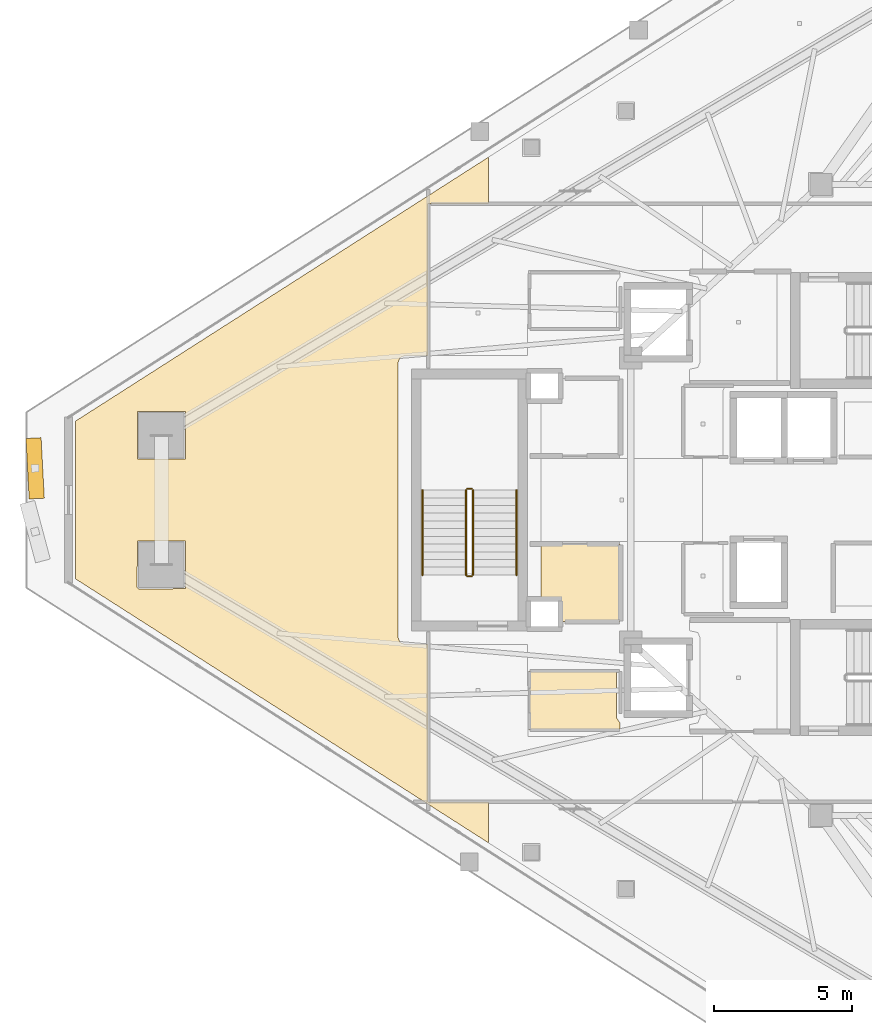
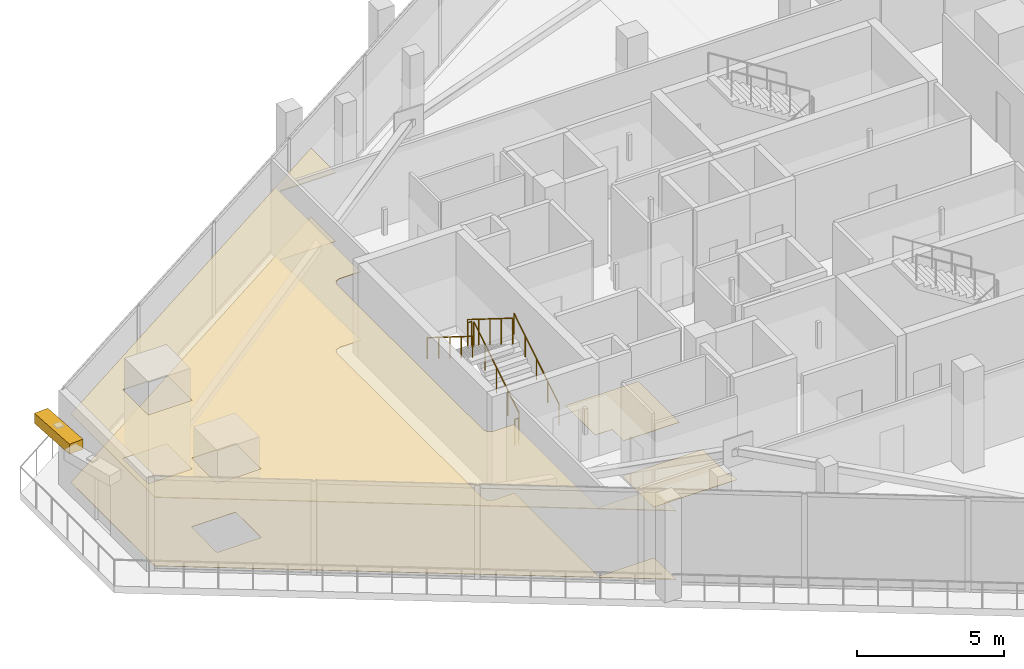
# One storey, part 30 of 34: 6 railings, 4 coverings, 1 shading device.
"""IFC4 building model written with IfcOpenShell, lengths in metres."""

from ifc_helpers import new_model, si_unit, direction, frame, origin, origin_2d, place, context, subcontext, project, spatial, polyline, rectangle, circle, outline, extrude, material, layer, layer_set, type_object, element, save


model = new_model("IFC4")

# Units and contexts
model_context = context("Model", 3, precision=1e-05, world=origin(), true_north=direction((0.0, 1.0)))
body_context = subcontext(model_context, "Body", "Model", "MODEL_VIEW")
ifc_project = project(units=[si_unit("LENGTHUNIT", "METRE"), si_unit("AREAUNIT", "SQUARE_METRE"), si_unit("VOLUMEUNIT", "CUBIC_METRE"), si_unit("PLANEANGLEUNIT", "RADIAN"), si_unit("MASSUNIT", "GRAM", prefix="KILO")], contexts=[model_context])

# Site, building, storey
site_placement = place(None, origin())
site = spatial("IfcSite", under=ifc_project, at=site_placement, CompositionType="ELEMENT")
building_placement = place(site_placement, origin())
building = spatial("IfcBuilding", under=site, at=building_placement, Name="Qorvath Tower", CompositionType="ELEMENT")
storey_placement = place(building_placement, frame((0.0, 0.0, 276.60009765625)))
storey = spatial("IfcBuildingStorey", under=building, at=storey_placement, Name="L64", CompositionType="ELEMENT", Elevation=276.60009765625)

# Coverings
ifc_material_1 = material(Name="Acoustic mineral fibre ceiling tile", Category="gypsum")
ifc_layer_1 = layer(ifc_material_1, 0.030029296875)
ifc_layer_set_1 = layer_set([ifc_layer_1], Name="COV-CEIL")
covering_type_1 = type_object("IfcCoveringType", Name="COV-CEIL", PredefinedType="CEILING", material=ifc_layer_set_1)
covering_1_placement = place(storey_placement, frame((0.0, 0.0, 2.849853515625)))
element("IfcCovering", 1, at=covering_1_placement, inside=storey, type_object=covering_type_1, Name="L64 Suspended Acoustic Ceiling 014", PredefinedType="CEILING", context=body_context, shape_type="SweptSolid", body=[
    extrude(outline(polyline([(-50.651123046875, -2.8662109375), (-35.662841796875, -12.44580078125), (-35.662841796875, -10.95849609375), (-37.863037109375, -10.9580078125), (-37.863037109375, -5.239990234375), (-38.699951171875, -5.239990234375), (-38.876708984375, -5.166748046875), (-38.949951171875, -4.989990234375), (-38.949951171875, 4.989990234375), (-38.876708984375, 5.166748046875), (-38.699951171875, 5.239990234375), (-37.863037109375, 5.239990234375), (-37.861572265625, 10.761474609375), (-35.662841796875, 10.76171875), (-35.662841796875, 12.44580078125), (-50.651123046875, 2.8662109375), (-50.651123046875, -2.8662109375)]), holes=[polyline([(-48.422607421875, -3.174560546875), (-48.405029296875, -1.482177734375), (-46.670166015625, -1.482177734375), (-46.670166015625, -3.217041015625), (-48.362548828125, -3.234619140625), (-48.422607421875, -3.174560546875)]), polyline([(-48.405029296875, 1.482177734375), (-48.405029296875, 3.217041015625), (-46.670166015625, 3.217041015625), (-46.670166015625, 1.482177734375), (-48.405029296875, 1.482177734375)])]), origin(), (0.0, 0.0, 1.0), 0.030029296875),
])
ifc_material_2 = material(Name="Low-VOC modular carpet tile", Category="textile")
ifc_layer_2 = layer(ifc_material_2, 0.014892578125)
ifc_layer_set_2 = layer_set([ifc_layer_2], Name="COV-FLOOR-CPT")
covering_type_2 = type_object("IfcCoveringType", Name="COV-FLOOR-CPT", PredefinedType="FLOORING", material=ifc_layer_set_2)
covering_2_placement = place(storey_placement, origin())
element("IfcCovering", 2, at=covering_2_placement, inside=storey, type_object=covering_type_2, Name="L64 Floor Finish 010", PredefinedType="FLOORING", context=body_context, shape_type="SweptSolid", body=[
    extrude(outline(polyline([(-30.885009765625, -4.4150390625), (-30.885009765625, -1.60498046875), (-33.760009765625, -1.60498046875), (-33.760009765625, -3.636962890625), (-33.08837890625, -3.638427734375), (-33.0869140625, -4.4150390625), (-30.885009765625, -4.4150390625)])), origin(), (0.0, 0.0, 1.0), 0.014892578125),
])
covering_3_placement = place(storey_placement, origin())
element("IfcCovering", 3, at=covering_3_placement, inside=storey, type_object=covering_type_2, Name="L64 Floor Finish 014", PredefinedType="FLOORING", context=body_context, shape_type="SweptSolid", body=[
    extrude(outline(polyline([(-50.651123046875, -2.8662109375), (-35.662841796875, -12.44580078125), (-35.662841796875, -10.95849609375), (-37.863037109375, -10.9580078125), (-37.863037109375, -5.239990234375), (-38.699951171875, -5.239990234375), (-38.876708984375, -5.166748046875), (-38.949951171875, -4.989990234375), (-38.949951171875, 4.989990234375), (-38.876708984375, 5.166748046875), (-38.699951171875, 5.239990234375), (-37.863037109375, 5.239990234375), (-37.861572265625, 10.761474609375), (-35.662841796875, 10.76171875), (-35.662841796875, 12.44580078125), (-50.651123046875, 2.8662109375), (-50.651123046875, -2.8662109375)]), holes=[polyline([(-48.422607421875, -3.174560546875), (-48.405029296875, -1.482177734375), (-46.670166015625, -1.482177734375), (-46.670166015625, -3.217041015625), (-48.362548828125, -3.234619140625), (-48.422607421875, -3.174560546875)]), polyline([(-48.405029296875, 1.482177734375), (-48.405029296875, 3.217041015625), (-46.670166015625, 3.217041015625), (-46.670166015625, 1.482177734375), (-48.405029296875, 1.482177734375)])]), origin(), (0.0, 0.0, 1.0), 0.014892578125),
])
ifc_material_3 = material(Name="Polished epoxy terrazzo flooring", Category="concrete")
ifc_layer_3 = layer(ifc_material_3, 0.02001953125)
ifc_layer_set_3 = layer_set([ifc_layer_3], Name="COV-FLOOR-TRZ")
covering_type_3 = type_object("IfcCoveringType", Name="COV-FLOOR-TRZ", PredefinedType="FLOORING", material=ifc_layer_set_3)
covering_4_placement = place(storey_placement, origin())
element("IfcCovering", 4, at=covering_4_placement, inside=storey, type_object=covering_type_3, Name="L64 Floor Finish 009", PredefinedType="FLOORING", context=body_context, shape_type="SweptSolid", body=[
    extrude(outline(polyline([(-30.885009765625, -8.344970703125), (-30.885009765625, -8.108154296875), (-31.010009765625, -7.909912109375), (-31.010009765625, -6.205078125), (-34.175048828125, -6.205078125), (-34.175048828125, -8.344970703125), (-30.885009765625, -8.344970703125)])), origin(), (0.0, 0.0, 1.0), 0.014892578125),
])

# Railings
ifc_material_4 = material(Name="Painted galvanised steel", Category="steel")
railing_type_1 = type_object("IfcRailingType", Name="RL-STR-GRD", PredefinedType="GUARDRAIL", material=ifc_material_4)
railing_1_placement = place(storey_placement, frame((-36.22998046875, -2.719970703125, 0.1748046875)))
element("IfcRailing", 5, at=railing_1_placement, inside=storey, type_object=railing_type_1, Name="L64 TS3 stair guard 1", PredefinedType="GUARDRAIL", context=body_context, shape_type="SweptSolid", body=[
    extrude(circle(Radius=0.02392578125, at=origin_2d()), frame((0.0, 0.0, 1.076171875), z_axis=(0.0, 0.847998304005, 0.529998940003), x_axis=(-1.0, 0.0, 0.0)), (0.0, 0.0, 1.0), 3.632080078125),
    extrude(circle(Radius=0.02099609375, at=origin_2d()), origin(), (0.0, 0.0, 1.0), 1.052001953125),
    extrude(circle(Radius=0.02099609375, at=origin_2d()), frame((0.0, 0.77001953125, 0.481201171875)), (0.0, 0.0, 1.0), 1.052001953125),
    extrude(circle(Radius=0.02099609375, at=origin_2d()), frame((0.0, 1.5400390625, 0.96240234375)), (0.0, 0.0, 1.0), 1.052001953125),
    extrude(circle(Radius=0.02099609375, at=origin_2d()), frame((0.0, 2.31005859375, 1.44384765625)), (0.0, 0.0, 1.0), 1.052001953125),
    extrude(circle(Radius=0.02099609375, at=origin_2d()), frame((0.0, 3.080078125, 1.925048828125)), (0.0, 0.0, 1.0), 1.052001953125),
])
railing_2_placement = place(storey_placement, frame((-36.280029296875, 0.409912109375, 2.099853515625)))
element("IfcRailing", 6, at=railing_2_placement, inside=storey, type_object=railing_type_1, Name="L64 TS3 stair guard 2", PredefinedType="GUARDRAIL", context=body_context, shape_type="SweptSolid", body=[
    extrude(circle(Radius=0.02392578125, at=origin_2d()), frame((0.0, 0.0, 1.076171875), z_axis=(-1.0, 0.0, 0.0), x_axis=(0.0, -1.0, 0.0)), (0.0, 0.0, 1.0), 0.14990234375),
    extrude(circle(Radius=0.02099609375, at=origin_2d()), origin(), (0.0, 0.0, 1.0), 1.052001953125),
    extrude(circle(Radius=0.02099609375, at=origin_2d()), frame((-0.14990234375, 0.0, 0.0)), (0.0, 0.0, 1.0), 1.052001953125),
])
railing_3_placement = place(storey_placement, frame((-36.47998046875, 0.360107421875, 2.27490234375)))
element("IfcRailing", 7, at=railing_3_placement, inside=storey, type_object=railing_type_1, Name="L64 TS3 stair guard 3", PredefinedType="GUARDRAIL", context=body_context, shape_type="SweptSolid", body=[
    extrude(circle(Radius=0.02392578125, at=origin_2d()), frame((0.0, 0.0, 1.076171875), z_axis=(0.0, -0.847998304005, 0.529998940003), x_axis=(1.0, 0.0, 0.0)), (0.0, 0.0, 1.0), 3.632080078125),
    extrude(circle(Radius=0.02099609375, at=origin_2d()), origin(), (0.0, 0.0, 1.0), 1.052001953125),
    extrude(circle(Radius=0.02099609375, at=origin_2d()), frame((0.0, -0.77001953125, 0.481201171875)), (0.0, 0.0, 1.0), 1.052001953125),
    extrude(circle(Radius=0.02099609375, at=origin_2d()), frame((0.0, -1.5400390625, 0.96240234375)), (0.0, 0.0, 1.0), 1.052001953125),
    extrude(circle(Radius=0.02099609375, at=origin_2d()), frame((0.0, -2.31005859375, 1.44384765625)), (0.0, 0.0, 1.0), 1.052001953125),
    extrude(circle(Radius=0.02099609375, at=origin_2d()), frame((0.0, -3.080078125, 1.925048828125)), (0.0, 0.0, 1.0), 1.052001953125),
])
railing_4_placement = place(storey_placement, frame((-36.280029296875, -2.77001953125, 0.0)))
element("IfcRailing", 8, at=railing_4_placement, inside=storey, type_object=railing_type_1, Name="L64 TS3 stair guard 4", PredefinedType="GUARDRAIL", context=body_context, shape_type="SweptSolid", body=[
    extrude(circle(Radius=0.02392578125, at=origin_2d()), frame((0.0, 0.0, 1.076171875), z_axis=(-1.0, 0.0, 0.0), x_axis=(0.0, -1.0, 0.0)), (0.0, 0.0, 1.0), 0.14990234375),
    extrude(circle(Radius=0.02099609375, at=origin_2d()), origin(), (0.0, 0.0, 1.0), 1.052001953125),
    extrude(circle(Radius=0.02099609375, at=origin_2d()), frame((-0.14990234375, 0.0, 0.0)), (0.0, 0.0, 1.0), 1.052001953125),
])
ifc_material_5 = material(Name="Brushed stainless steel AISI 304", Category="steel")
railing_type_2 = type_object("IfcRailingType", Name="RL-STR-HND", PredefinedType="HANDRAIL", material=ifc_material_5)
railing_5_placement = place(storey_placement, frame((-34.64990234375, -2.719970703125, 0.1748046875)))
element("IfcRailing", 9, at=railing_5_placement, inside=storey, type_object=railing_type_2, Name="L64 TS3 stair handrail 1", PredefinedType="HANDRAIL", context=body_context, shape_type="SweptSolid", body=[
    extrude(circle(Radius=0.02392578125, at=origin_2d()), frame((0.0, 0.0, 0.8759765625), z_axis=(0.0, 0.847998304005, 0.529998940003), x_axis=(-1.0, 0.0, 0.0)), (0.0, 0.0, 1.0), 3.632080078125),
    extrude(circle(Radius=0.02099609375, at=origin_2d()), origin(), (0.0, 0.0, 1.0), 0.851806640625),
    extrude(circle(Radius=0.02099609375, at=origin_2d()), frame((0.0, 0.77001953125, 0.481201171875)), (0.0, 0.0, 1.0), 0.851806640625),
    extrude(circle(Radius=0.02099609375, at=origin_2d()), frame((0.0, 1.5400390625, 0.96240234375)), (0.0, 0.0, 1.0), 0.851806640625),
    extrude(circle(Radius=0.02099609375, at=origin_2d()), frame((0.0, 2.31005859375, 1.44384765625)), (0.0, 0.0, 1.0), 0.851806640625),
    extrude(circle(Radius=0.02099609375, at=origin_2d()), frame((0.0, 3.080078125, 1.925048828125)), (0.0, 0.0, 1.0), 0.851806640625),
])
railing_6_placement = place(storey_placement, frame((-38.06005859375, 0.360107421875, 2.27490234375)))
element("IfcRailing", 10, at=railing_6_placement, inside=storey, type_object=railing_type_2, Name="L64 TS3 stair handrail 2", PredefinedType="HANDRAIL", context=body_context, shape_type="SweptSolid", body=[
    extrude(circle(Radius=0.02392578125, at=origin_2d()), frame((0.0, 0.0, 0.8759765625), z_axis=(0.0, -0.847998304005, 0.529998940003), x_axis=(1.0, 0.0, 0.0)), (0.0, 0.0, 1.0), 3.632080078125),
    extrude(circle(Radius=0.02099609375, at=origin_2d()), origin(), (0.0, 0.0, 1.0), 0.851806640625),
    extrude(circle(Radius=0.02099609375, at=origin_2d()), frame((0.0, -0.77001953125, 0.481201171875)), (0.0, 0.0, 1.0), 0.851806640625),
    extrude(circle(Radius=0.02099609375, at=origin_2d()), frame((0.0, -1.5400390625, 0.96240234375)), (0.0, 0.0, 1.0), 0.851806640625),
    extrude(circle(Radius=0.02099609375, at=origin_2d()), frame((0.0, -2.31005859375, 1.44384765625)), (0.0, 0.0, 1.0), 0.851806640625),
    extrude(circle(Radius=0.02099609375, at=origin_2d()), frame((0.0, -3.080078125, 1.925048828125)), (0.0, 0.0, 1.0), 0.851806640625),
])

# Shading device
ifc_material_6 = material(Name="Anodised bronze-champagne aluminium", Category="aluminium")
shading_device_type = type_object("IfcShadingDeviceType", Name="SD-LOUVRE", PredefinedType="JALOUSIE", material=ifc_material_6)
shading_device_placement = place(storey_placement, frame((-52.121337890625, 1.14892578125, 3.489990234375), z_axis=(0.0, 0.0, 1.0), x_axis=(0.052829201106, -0.998603562737, 0.0)))
element("IfcShadingDevice", 11, at=shading_device_placement, inside=storey, type_object=shading_device_type, Name="Sinusoidal Wave Louvre Blade L64-01", PredefinedType="NOTDEFINED", context=body_context, shape_type="SweptSolid", body=[
    extrude(rectangle(XDim=2.199951171875, YDim=0.550048828125, at=origin_2d()), origin(), (0.0, 0.0, 1.0), 0.419921875),
])

save(model, "model.ifc")
